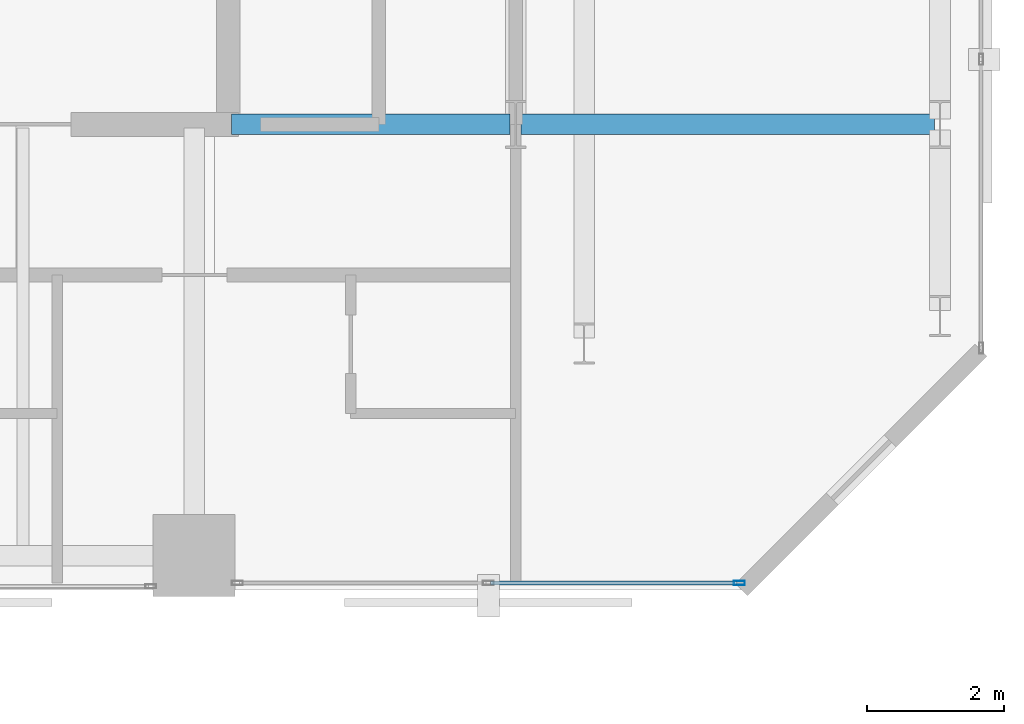
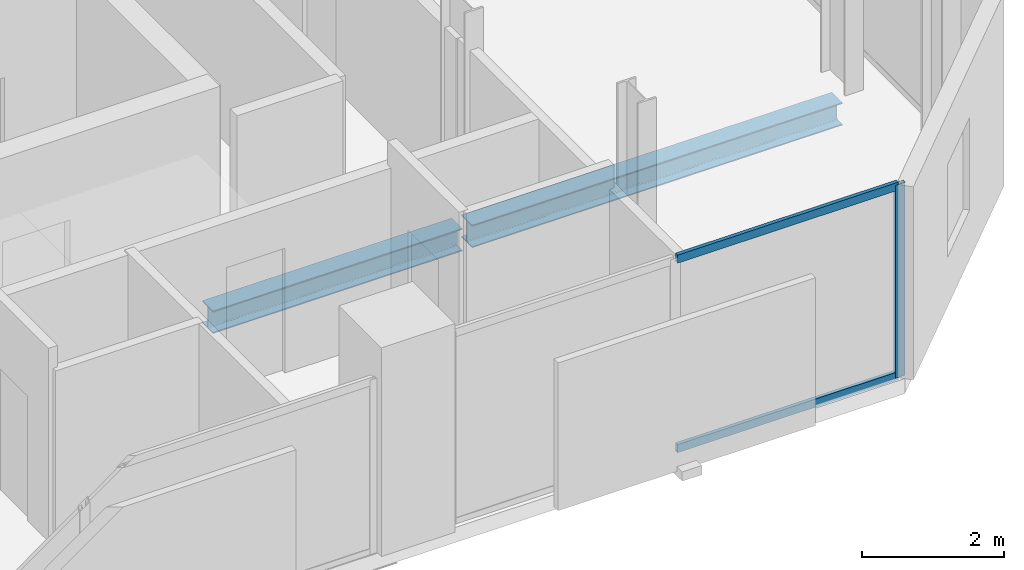
# One storey, part 15 of 32: 3 members, 2 beams, 1 element without a shape of its own.
"""IFC4 building model written with IfcOpenShell, lengths in metres."""

from ifc_helpers import new_model, si_unit, direction, frame, origin, origin_2d, place, context, subcontext, project, spatial, hollow_rectangle, i_section, extrude, material, layer, layer_set, material_profile, profile_set, type_object, element, aggregate, save


model = new_model("IFC4")

# Units and contexts
model_context = context("Model", 3, precision=1e-05, world=origin(), true_north=direction((0.0, 1.0)))
body_context = subcontext(model_context, "Body", "Model", "MODEL_VIEW")
ifc_project = project(units=[si_unit("LENGTHUNIT", "METRE"), si_unit("AREAUNIT", "SQUARE_METRE"), si_unit("VOLUMEUNIT", "CUBIC_METRE"), si_unit("PLANEANGLEUNIT", "RADIAN"), si_unit("MASSUNIT", "GRAM", prefix="KILO")], contexts=[model_context])

# Site, building, storey
site_placement = place(None, origin())
site = spatial("IfcSite", under=ifc_project, at=site_placement, CompositionType="ELEMENT")
building_placement = place(site_placement, origin())
building = spatial("IfcBuilding", under=site, at=building_placement, Name="Catumbela Crestline Tower", CompositionType="ELEMENT")
storey_placement = place(building_placement, frame((0.0, 0.0, 136.8)))
storey = spatial("IfcBuildingStorey", under=building, at=storey_placement, Name="L35", CompositionType="ELEMENT", Elevation=136.8)

# Beams
ifc_material_1 = material(Name="Structural steel S355J2", Category="steel")
ifc_material_profile_1 = material_profile(ifc_material_1, i_section(OverallWidth=0.3, OverallDepth=0.39, WebThickness=0.011, FlangeThickness=0.019, FilletRadius=0.027, at=origin_2d()), Name="HEA 400")
ifc_profile_set_1 = profile_set([ifc_material_profile_1], Name="Structural steel S355J2")
beam_type = type_object("IfcBeamType", Name="BG-HEA400", PredefinedType="BEAM", material=ifc_profile_set_1)
beam_1_placement = place(storey_placement, frame((40.05, 30.8, -0.455), z_axis=(1.0, 0.0, 0.0), x_axis=(0.0, 1.0, 0.0)))
element("IfcBeam", 1, at=beam_1_placement, inside=storey, type_object=beam_type, Name="L35 Beam BM-L35-M10", PredefinedType="BEAM", context=body_context, shape_type="SweptSolid", body=[
    extrude(i_section(OverallWidth=0.3, OverallDepth=0.39, WebThickness=0.011, FlangeThickness=0.019, FilletRadius=0.027, at=origin_2d()), origin(), (0.0, 0.0, 1.0), 4.07),
])
beam_2_placement = place(storey_placement, frame((44.28, 30.8, -0.455), z_axis=(1.0, 0.0, 0.0), x_axis=(0.0, 1.0, 0.0)))
element("IfcBeam", 2, at=beam_2_placement, inside=storey, type_object=beam_type, Name="L35 Beam BM-L35-M11", PredefinedType="BEAM", context=body_context, shape_type="SweptSolid", body=[
    extrude(i_section(OverallWidth=0.3, OverallDepth=0.39, WebThickness=0.011, FlangeThickness=0.019, FilletRadius=0.027, at=origin_2d()), origin(), (0.0, 0.0, 1.0), 6.04),
])

# Curtain wall, members
ifc_material_2 = material(Name="Aluminium alloy AW-6060-T66", Category="aluminium")
ifc_layer = layer(ifc_material_2, 0.18, Name="Aluminium alloy AW-6060-T66")
ifc_layer_set = layer_set([ifc_layer], Name="Aluminium alloy AW-6060-T66")
curtain_wall_type = type_object("IfcCurtainWallType", Name="CWU-Z2", PredefinedType="USERDEFINED", material=ifc_layer_set)
curtain_wall_placement = place(storey_placement, origin())
curtain_wall = element("IfcCurtainWall", 3, at=curtain_wall_placement, inside=storey, type_object=curtain_wall_type, Name="L35 Unitised Curtain Wall CW-L35-E3S2", ObjectType="UNITISED", PredefinedType="USERDEFINED")
ifc_material_profile_2 = material_profile(ifc_material_2, hollow_rectangle(XDim=0.06, YDim=0.16, WallThickness=0.004, at=origin_2d()), Name="ALU 160x60x4")
ifc_profile_set_2 = profile_set([ifc_material_profile_2], Name="Aluminium alloy AW-6060-T66")
member_type_1 = type_object("IfcMemberType", Name="MUL-160X60", PredefinedType="MULLION", material=ifc_profile_set_2)
member_1_placement = place(storey_placement, frame((47.4675, 24.1, 0.0), z_axis=(0.0, 0.0, 1.0), x_axis=(0.0, 1.0, 0.0)))
member_1 = element("IfcMember", 4, at=member_1_placement, type_object=member_type_1, Name="CWU-Z2 mullion 3", PredefinedType="MULLION", context=body_context, shape_type="SweptSolid", body=[
    extrude(hollow_rectangle(XDim=0.06, YDim=0.16, WallThickness=0.004, at=origin_2d()), origin(), (0.0, 0.0, 1.0), 3.33),
])
ifc_material_profile_3 = material_profile(ifc_material_2, hollow_rectangle(XDim=0.06, YDim=0.14, WallThickness=0.004, at=origin_2d()), Name="ALU 140x60x4")
ifc_profile_set_3 = profile_set([ifc_material_profile_3], Name="Aluminium alloy AW-6060-T66")
member_type_2 = type_object("IfcMemberType", Name="TRN-140X60", PredefinedType="USERDEFINED", material=ifc_profile_set_3)
member_2_placement = place(storey_placement, frame((43.8325, 24.1, 0.03), z_axis=(1.0, 0.0, 0.0), x_axis=(0.0, 1.0, 0.0)))
member_2 = element("IfcMember", 5, at=member_2_placement, type_object=member_type_2, Name="CWU-Z2 transom 2.1", ObjectType="TRANSOM", PredefinedType="USERDEFINED", context=body_context, shape_type="SweptSolid", body=[
    extrude(hollow_rectangle(XDim=0.06, YDim=0.14, WallThickness=0.004, at=origin_2d()), origin(), (0.0, 0.0, 1.0), 3.6025),
])
member_3_placement = place(storey_placement, frame((43.8325, 24.1, 3.3), z_axis=(1.0, 0.0, 0.0), x_axis=(0.0, 1.0, 0.0)))
member_3 = element("IfcMember", 6, at=member_3_placement, type_object=member_type_2, Name="CWU-Z2 transom 2.2", ObjectType="TRANSOM", PredefinedType="USERDEFINED", context=body_context, shape_type="SweptSolid", body=[
    extrude(hollow_rectangle(XDim=0.06, YDim=0.14, WallThickness=0.004, at=origin_2d()), origin(), (0.0, 0.0, 1.0), 3.6025),
])
aggregate(curtain_wall, [member_1, member_2, member_3])

save(model, "model.ifc")
